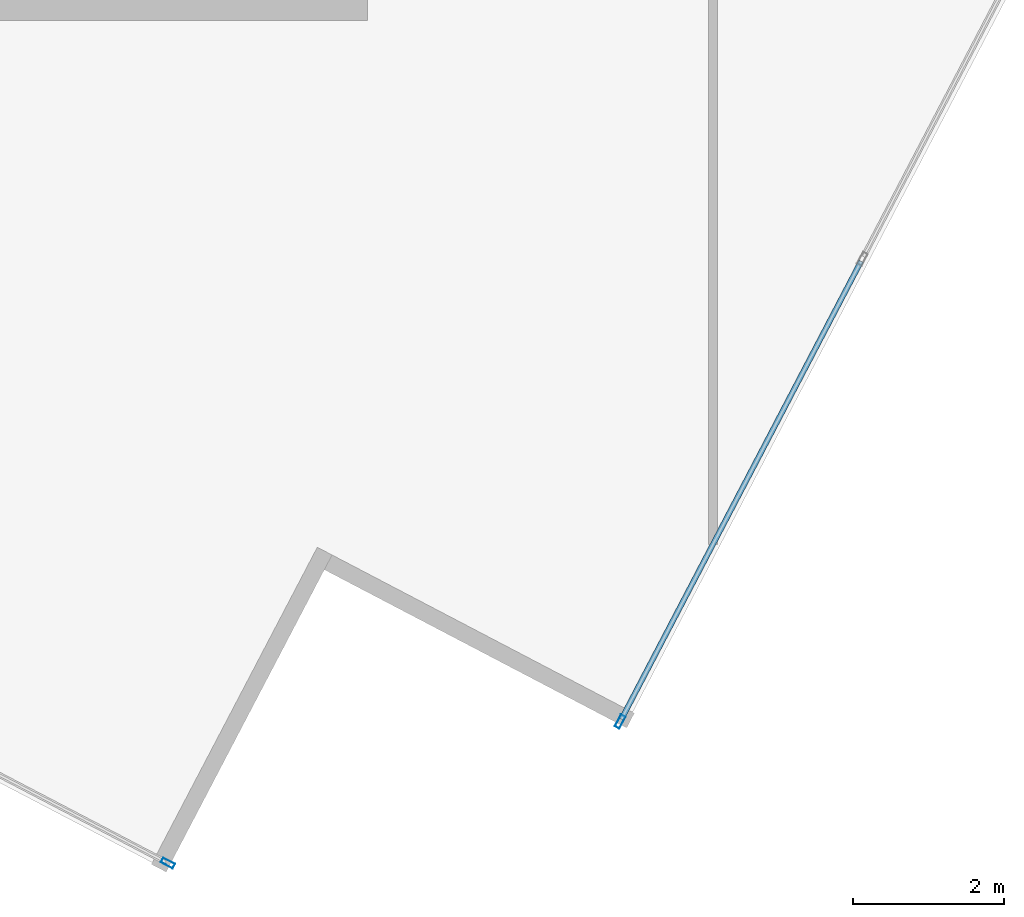
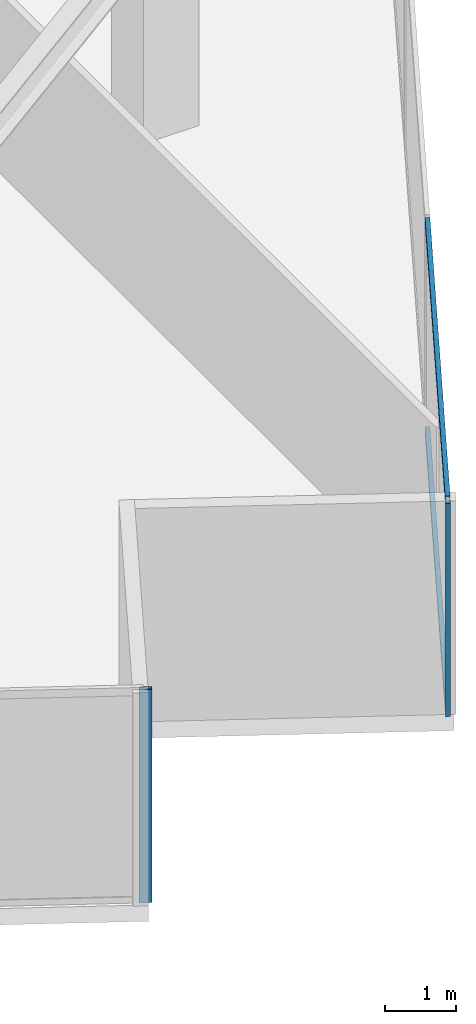
# One storey, part 9 of 27: 4 members, 2 elements without a shape of their own.
"""IFC4 building model written with IfcOpenShell, lengths in metres."""

from ifc_helpers import new_model, si_unit, direction, frame, origin, origin_2d, place, context, subcontext, project, spatial, hollow_rectangle, extrude, source, transform, mapped, material, material_profile, profile_set, type_object, type_shapes, element, aggregate, save


model = new_model("IFC4")

# Units and contexts
model_context = context("Model", 3, precision=1e-05, world=origin(), true_north=direction((0.0, 1.0)))
body_context = subcontext(model_context, "Body", "Model", "MODEL_VIEW")
ifc_project = project(units=[si_unit("LENGTHUNIT", "METRE"), si_unit("AREAUNIT", "SQUARE_METRE"), si_unit("VOLUMEUNIT", "CUBIC_METRE"), si_unit("PLANEANGLEUNIT", "RADIAN"), si_unit("MASSUNIT", "GRAM", prefix="KILO")], contexts=[model_context])

# Site, building, storey
site_placement = place(None, origin())
site = spatial("IfcSite", under=ifc_project, at=site_placement, CompositionType="ELEMENT")
building_placement = place(site_placement, origin())
building = spatial("IfcBuilding", under=site, at=building_placement, Name="Krantzveldt Concourse Tower", CompositionType="ELEMENT")
storey_placement = place(building_placement, frame((0.0, 0.0, 154.10009765625)))
storey = spatial("IfcBuildingStorey", under=building, at=storey_placement, Name="L37", CompositionType="ELEMENT", Elevation=154.10009765625)

# Curtain wall, member
ifc_material = material(Name="Anodised aluminium 6063-T6", Category="aluminium")
curtain_wall_type = type_object("IfcCurtainWallType", Name="CW3", PredefinedType="USERDEFINED", material=ifc_material)
curtain_wall_1_placement = place(storey_placement, origin())
curtain_wall_1 = element("IfcCurtainWall", 1, at=curtain_wall_1_placement, inside=storey, type_object=curtain_wall_type, Name="CW-L37-F04", ObjectType="UNITISED CURTAIN WALL", PredefinedType="USERDEFINED")
ifc_material_profile_1 = material_profile(ifc_material, hollow_rectangle(XDim=0.070068359375, YDim=0.179931640625, WallThickness=0.0048828125, at=origin_2d()), Name="Anodised aluminium 6063-T6", Category="aluminium")
ifc_profile_set_1 = profile_set([ifc_material_profile_1], Name="Anodised aluminium 6063-T6 - ALU-MULL 180x70x5")
member_type_1 = type_object("IfcMemberType", Name="CW-MUL-180", PredefinedType="MULLION", material=ifc_profile_set_1)
shared_shape_1 = source(origin(), body_context, "Body", "SweptSolid", [
    extrude(hollow_rectangle(XDim=0.070068359375, YDim=0.179931640625, WallThickness=0.0048828125, at=origin_2d()), origin(), (0.0, 0.0, 1.0), 3.669921875),
])
type_shapes(member_type_1, [shared_shape_1])
member_1_placement = place(storey_placement, frame((41.2724609375, -0.675537109375, 0.0), z_axis=(0.0, 0.0, 1.0), x_axis=(0.463682819502, 0.886001265743, 0.0)))
member_1 = element("IfcMember", 2, at=member_1_placement, type_object=member_type_1, Name="CW-Z34 mullion 6", PredefinedType="MULLION", context=body_context, shape_type="MappedRepresentation", body=[
    mapped(shared_shape_1, transform((0.0, 0.0, 0.0), x_axis=(1.0, 0.0, 0.0), y_axis=(0.0, 1.0, 0.0), z_axis=(0.0, 0.0, 1.0), scale=1.0)),
])
aggregate(curtain_wall_1, [member_1])

# Curtain wall, members
curtain_wall_2_placement = place(storey_placement, origin())
curtain_wall_2 = element("IfcCurtainWall", 3, at=curtain_wall_2_placement, inside=storey, type_object=curtain_wall_type, Name="CW-L37-F07", ObjectType="UNITISED CURTAIN WALL", PredefinedType="USERDEFINED")
member_2_placement = place(storey_placement, frame((47.271728515625, 1.20166015625, 0.0), z_axis=(0.0, 0.0, 1.0), x_axis=(-0.886001265743, 0.463682819502, 0.0)))
member_2 = element("IfcMember", 4, at=member_2_placement, type_object=member_type_1, Name="CW-Z34 mullion 1", PredefinedType="MULLION", context=body_context, shape_type="MappedRepresentation", body=[
    mapped(shared_shape_1, transform((0.0, 0.0, 0.0), x_axis=(1.0, 0.0, 0.0), y_axis=(0.0, 1.0, 0.0), z_axis=(0.0, 0.0, 1.0), scale=1.0)),
])
ifc_material_profile_2 = material_profile(ifc_material, hollow_rectangle(XDim=0.070068359375, YDim=0.139892578125, WallThickness=0.0048828125, at=origin_2d()), Name="Anodised aluminium 6063-T6", Category="aluminium")
ifc_profile_set_2 = profile_set([ifc_material_profile_2], Name="Anodised aluminium 6063-T6 - ALU-TRAN 140x70x5")
member_type_2 = type_object("IfcMemberType", Name="CW-TRN-150", PredefinedType="USERDEFINED", material=ifc_profile_set_2)
shared_shape_2 = source(origin(), body_context, "Body", "SweptSolid", [
    extrude(hollow_rectangle(XDim=0.070068359375, YDim=0.139892578125, WallThickness=0.0048828125, at=origin_2d()), origin(), (0.0, 0.0, 1.0), 6.85498046875),
])
type_shapes(member_type_2, [shared_shape_2])
member_3_placement = place(storey_placement, frame((47.2880859375, 1.232666015625, 0.034912109375), z_axis=(0.463676917957, 0.886004354252, 0.0), x_axis=(-0.886004354252, 0.463676917957, 0.0)))
member_3 = element("IfcMember", 5, at=member_3_placement, type_object=member_type_2, Name="CW-Z34 transom 1.1", ObjectType="TRANSOM", PredefinedType="USERDEFINED", context=body_context, shape_type="MappedRepresentation", body=[
    mapped(shared_shape_2, transform((0.0, 0.0, 0.0), x_axis=(1.0, 0.0, 0.0), y_axis=(0.0, 1.0, 0.0), z_axis=(0.0, 0.0, 1.0), scale=1.0)),
])
member_4_placement = place(storey_placement, frame((47.2880859375, 1.232666015625, 3.635009765625), z_axis=(0.463676917957, 0.886004354252, 0.0), x_axis=(-0.886004354252, 0.463676917957, 0.0)))
member_4 = element("IfcMember", 6, at=member_4_placement, type_object=member_type_2, Name="CW-Z34 transom 1.2", ObjectType="TRANSOM", PredefinedType="USERDEFINED", context=body_context, shape_type="MappedRepresentation", body=[
    mapped(shared_shape_2, transform((0.0, 0.0, 0.0), x_axis=(1.0, 0.0, 0.0), y_axis=(0.0, 1.0, 0.0), z_axis=(0.0, 0.0, 1.0), scale=1.0)),
])
aggregate(curtain_wall_2, [member_2, member_3, member_4])

save(model, "model.ifc")
